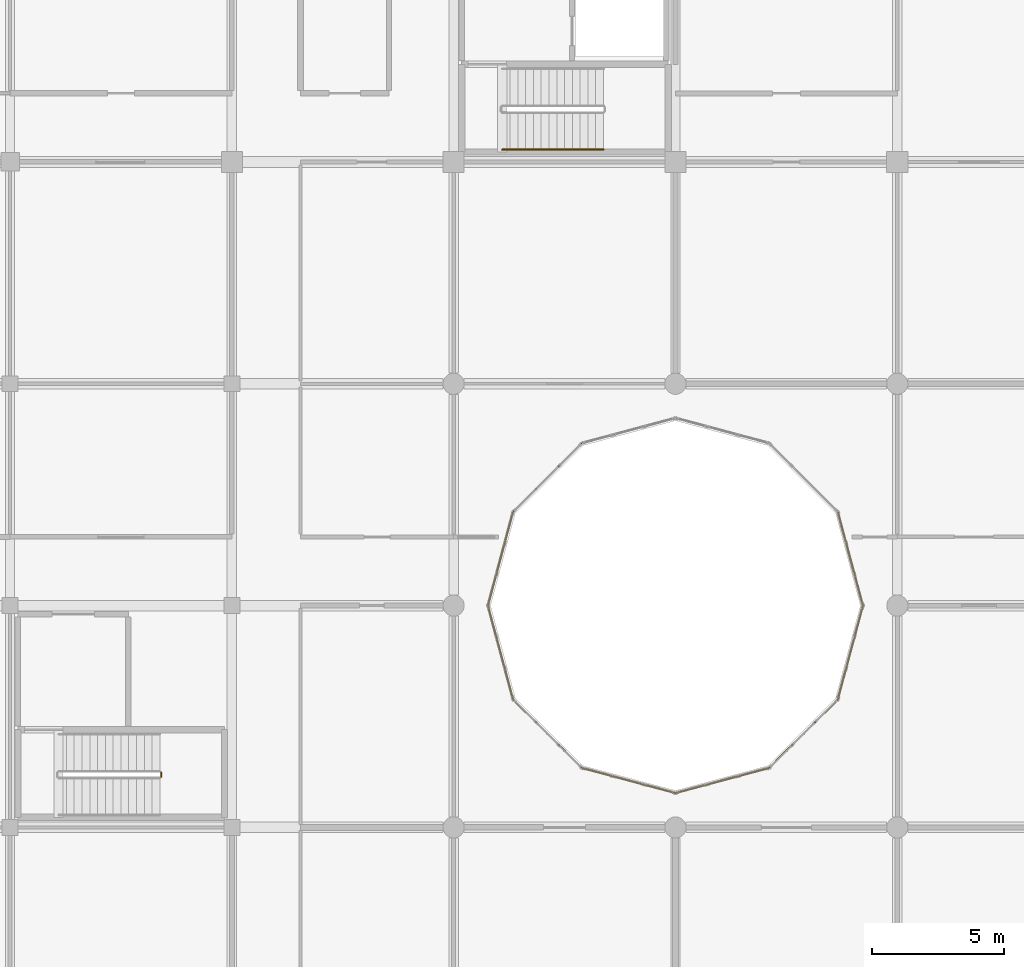
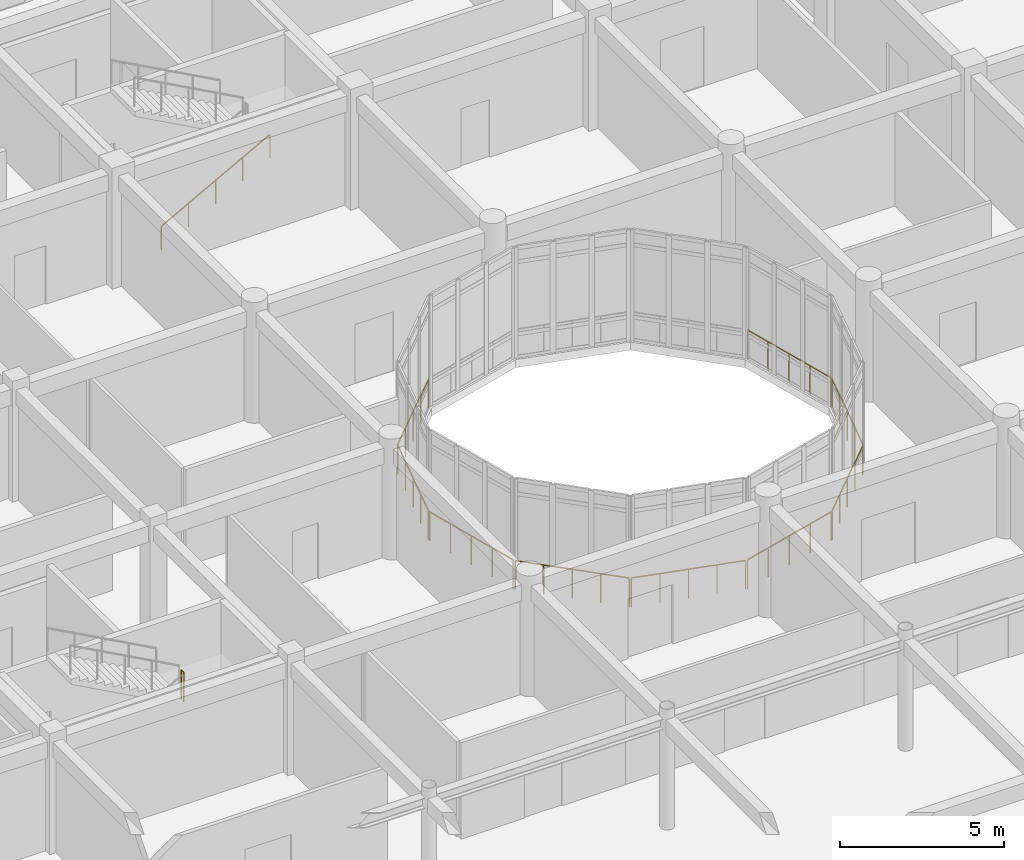
# One storey, part 135 of 144: 11 railings.
"""IFC4 building model written with IfcOpenShell, lengths in metres."""

from ifc_helpers import new_model, si_unit, direction, frame, origin, origin_2d, place, context, subcontext, project, spatial, circle, extrude, material, type_object, element, save


model = new_model("IFC4")

# Units and contexts
model_context = context("Model", 3, precision=1e-05, world=origin(), true_north=direction((0.0, 1.0)))
body_context = subcontext(model_context, "Body", "Model", "MODEL_VIEW")
ifc_project = project(units=[si_unit("LENGTHUNIT", "METRE"), si_unit("AREAUNIT", "SQUARE_METRE"), si_unit("VOLUMEUNIT", "CUBIC_METRE"), si_unit("PLANEANGLEUNIT", "RADIAN"), si_unit("MASSUNIT", "GRAM", prefix="KILO")], contexts=[model_context])

# Site, building, storey
site_placement = place(None, origin())
site = spatial("IfcSite", under=ifc_project, at=site_placement, CompositionType="ELEMENT")
building_placement = place(site_placement, origin())
building = spatial("IfcBuilding", under=site, at=building_placement, Name="Bramfleet General Hospital", CompositionType="ELEMENT")
storey_placement = place(building_placement, frame((0.0, 0.0, 4.800048828125)))
storey = spatial("IfcBuildingStorey", under=building, at=storey_placement, Name="L01", CompositionType="ELEMENT", Elevation=4.800048828125)

# Railings
ifc_material_1 = material(Name="Stainless steel 1.4401 safety balustrade", Category="steel")
railing_type_1 = type_object("IfcRailingType", Name="RAIL-EXT-GUARD", PredefinedType="GUARDRAIL", material=ifc_material_1)
railing_1_placement = place(storey_placement, frame((76.906005859375, 75.564453125, 0.0)))
element("IfcRailing", 1, at=railing_1_placement, inside=storey, type_object=railing_type_1, Name="L01 Safety Guard Rail 49", PredefinedType="GUARDRAIL", context=body_context, shape_type="SweptSolid", body=[
    extrude(circle(Radius=0.02392578125, at=origin_2d()), frame((0.0, 0.0, 1.076171875), z_axis=(0.258809459738, -0.965928394629, 0.0), x_axis=(0.965928394629, 0.258809459738, 0.0)), (0.0, 0.0, 1.0), 3.603515625),
    extrude(circle(Radius=0.02099609375, at=origin_2d()), origin(), (0.0, 0.0, 1.0), 1.052001953125),
    extrude(circle(Radius=0.02099609375, at=origin_2d()), frame((0.233154296875, -0.8701171875, 0.0)), (0.0, 0.0, 1.0), 1.052001953125),
    extrude(circle(Radius=0.02099609375, at=origin_2d()), frame((0.46630859375, -1.740234375, 0.0)), (0.0, 0.0, 1.0), 1.052001953125),
    extrude(circle(Radius=0.02099609375, at=origin_2d()), frame((0.699462890625, -2.610595703125, 0.0)), (0.0, 0.0, 1.0), 1.052001953125),
    extrude(circle(Radius=0.02099609375, at=origin_2d()), frame((0.9326171875, -3.480712890625, 0.0)), (0.0, 0.0, 1.0), 1.052001953125),
])
railing_2_placement = place(storey_placement, frame((77.874267578125, 72.022216796875, 0.0)))
element("IfcRailing", 2, at=railing_2_placement, inside=storey, type_object=railing_type_1, Name="L01 Safety Guard Rail 50", PredefinedType="GUARDRAIL", context=body_context, shape_type="SweptSolid", body=[
    extrude(circle(Radius=0.02392578125, at=origin_2d()), frame((0.0, 0.0, 1.076171875), z_axis=(0.707072903751, -0.707140656999, 0.0), x_axis=(0.707140656999, 0.707072903751, 0.0)), (0.0, 0.0, 1.0), 3.603271484375),
    extrude(circle(Radius=0.02099609375, at=origin_2d()), origin(), (0.0, 0.0, 1.0), 1.052001953125),
    extrude(circle(Radius=0.02099609375, at=origin_2d()), frame((0.636962890625, -0.636962890625, 0.0)), (0.0, 0.0, 1.0), 1.052001953125),
    extrude(circle(Radius=0.02099609375, at=origin_2d()), frame((1.27392578125, -1.27392578125, 0.0)), (0.0, 0.0, 1.0), 1.052001953125),
    extrude(circle(Radius=0.02099609375, at=origin_2d()), frame((1.910888671875, -1.9111328125, 0.0)), (0.0, 0.0, 1.0), 1.052001953125),
    extrude(circle(Radius=0.02099609375, at=origin_2d()), frame((2.5478515625, -2.548095703125, 0.0)), (0.0, 0.0, 1.0), 1.052001953125),
])
railing_3_placement = place(storey_placement, frame((80.48388671875, 69.438720703125, 0.0)))
element("IfcRailing", 3, at=railing_3_placement, inside=storey, type_object=railing_type_1, Name="L01 Safety Guard Rail 51", PredefinedType="GUARDRAIL", context=body_context, shape_type="SweptSolid", body=[
    extrude(circle(Radius=0.02392578125, at=origin_2d()), frame((0.0, 0.0, 1.076171875), z_axis=(0.965928394629, -0.258809459738, 0.0), x_axis=(0.258809459738, 0.965928394629, 0.0)), (0.0, 0.0, 1.0), 3.603515625),
    extrude(circle(Radius=0.02099609375, at=origin_2d()), origin(), (0.0, 0.0, 1.0), 1.052001953125),
    extrude(circle(Radius=0.02099609375, at=origin_2d()), frame((0.8701171875, -0.233154296875, 0.0)), (0.0, 0.0, 1.0), 1.052001953125),
    extrude(circle(Radius=0.02099609375, at=origin_2d()), frame((1.740234375, -0.46630859375, 0.0)), (0.0, 0.0, 1.0), 1.052001953125),
    extrude(circle(Radius=0.02099609375, at=origin_2d()), frame((2.610595703125, -0.699462890625, 0.0)), (0.0, 0.0, 1.0), 1.052001953125),
    extrude(circle(Radius=0.02099609375, at=origin_2d()), frame((3.480712890625, -0.9326171875, 0.0)), (0.0, 0.0, 1.0), 1.052001953125),
])
railing_4_placement = place(storey_placement, frame((84.035400390625, 68.506103515625, 0.0)))
element("IfcRailing", 4, at=railing_4_placement, inside=storey, type_object=railing_type_1, Name="L01 Safety Guard Rail 52", PredefinedType="GUARDRAIL", context=body_context, shape_type="SweptSolid", body=[
    extrude(circle(Radius=0.02392578125, at=origin_2d()), frame((0.0, 0.0, 1.076171875), z_axis=(0.965928394629, 0.258809459738, 0.0), x_axis=(-0.258809459738, 0.965928394629, 0.0)), (0.0, 0.0, 1.0), 3.603515625),
    extrude(circle(Radius=0.02099609375, at=origin_2d()), origin(), (0.0, 0.0, 1.0), 1.052001953125),
    extrude(circle(Radius=0.02099609375, at=origin_2d()), frame((0.8701171875, 0.233154296875, 0.0)), (0.0, 0.0, 1.0), 1.052001953125),
    extrude(circle(Radius=0.02099609375, at=origin_2d()), frame((1.740234375, 0.46630859375, 0.0)), (0.0, 0.0, 1.0), 1.052001953125),
    extrude(circle(Radius=0.02099609375, at=origin_2d()), frame((2.610595703125, 0.699462890625, 0.0)), (0.0, 0.0, 1.0), 1.052001953125),
    extrude(circle(Radius=0.02099609375, at=origin_2d()), frame((3.480712890625, 0.9326171875, 0.0)), (0.0, 0.0, 1.0), 1.052001953125),
])
railing_5_placement = place(storey_placement, frame((87.577880859375, 69.47412109375, 0.0)))
element("IfcRailing", 5, at=railing_5_placement, inside=storey, type_object=railing_type_1, Name="L01 Safety Guard Rail 53", PredefinedType="GUARDRAIL", context=body_context, shape_type="SweptSolid", body=[
    extrude(circle(Radius=0.02392578125, at=origin_2d()), frame((0.0, 0.0, 1.076171875), z_axis=(0.707072903751, 0.707140656999, 0.0), x_axis=(-0.707140656999, 0.707072903751, 0.0)), (0.0, 0.0, 1.0), 3.603271484375),
    extrude(circle(Radius=0.02099609375, at=origin_2d()), origin(), (0.0, 0.0, 1.0), 1.052001953125),
    extrude(circle(Radius=0.02099609375, at=origin_2d()), frame((0.636962890625, 0.636962890625, 0.0)), (0.0, 0.0, 1.0), 1.052001953125),
    extrude(circle(Radius=0.02099609375, at=origin_2d()), frame((1.27392578125, 1.27392578125, 0.0)), (0.0, 0.0, 1.0), 1.052001953125),
    extrude(circle(Radius=0.02099609375, at=origin_2d()), frame((1.910888671875, 1.9111328125, 0.0)), (0.0, 0.0, 1.0), 1.052001953125),
    extrude(circle(Radius=0.02099609375, at=origin_2d()), frame((2.5478515625, 2.548095703125, 0.0)), (0.0, 0.0, 1.0), 1.052001953125),
])
railing_6_placement = place(storey_placement, frame((90.161376953125, 72.083740234375, 0.0)))
element("IfcRailing", 6, at=railing_6_placement, inside=storey, type_object=railing_type_1, Name="L01 Safety Guard Rail 54", PredefinedType="GUARDRAIL", context=body_context, shape_type="SweptSolid", body=[
    extrude(circle(Radius=0.02392578125, at=origin_2d()), frame((0.0, 0.0, 1.076171875), z_axis=(0.258809459738, 0.965928394629, 0.0), x_axis=(-0.965928394629, 0.258809459738, 0.0)), (0.0, 0.0, 1.0), 3.603515625),
    extrude(circle(Radius=0.02099609375, at=origin_2d()), origin(), (0.0, 0.0, 1.0), 1.052001953125),
    extrude(circle(Radius=0.02099609375, at=origin_2d()), frame((0.233154296875, 0.8701171875, 0.0)), (0.0, 0.0, 1.0), 1.052001953125),
    extrude(circle(Radius=0.02099609375, at=origin_2d()), frame((0.46630859375, 1.740234375, 0.0)), (0.0, 0.0, 1.0), 1.052001953125),
    extrude(circle(Radius=0.02099609375, at=origin_2d()), frame((0.699462890625, 2.610595703125, 0.0)), (0.0, 0.0, 1.0), 1.052001953125),
    extrude(circle(Radius=0.02099609375, at=origin_2d()), frame((0.9326171875, 3.480712890625, 0.0)), (0.0, 0.0, 1.0), 1.052001953125),
])
railing_7_placement = place(storey_placement, frame((91.093994140625, 75.635498046875, 0.0)))
element("IfcRailing", 7, at=railing_7_placement, inside=storey, type_object=railing_type_1, Name="L01 Safety Guard Rail 55", PredefinedType="GUARDRAIL", context=body_context, shape_type="SweptSolid", body=[
    extrude(circle(Radius=0.02392578125, at=origin_2d()), frame((0.0, 0.0, 1.076171875), z_axis=(-0.258809459738, 0.965928394629, 0.0), x_axis=(-0.965928394629, -0.258809459738, 0.0)), (0.0, 0.0, 1.0), 3.603515625),
    extrude(circle(Radius=0.02099609375, at=origin_2d()), origin(), (0.0, 0.0, 1.0), 1.052001953125),
    extrude(circle(Radius=0.02099609375, at=origin_2d()), frame((-0.233154296875, 0.8701171875, 0.0)), (0.0, 0.0, 1.0), 1.052001953125),
    extrude(circle(Radius=0.02099609375, at=origin_2d()), frame((-0.46630859375, 1.740234375, 0.0)), (0.0, 0.0, 1.0), 1.052001953125),
    extrude(circle(Radius=0.02099609375, at=origin_2d()), frame((-0.699462890625, 2.610595703125, 0.0)), (0.0, 0.0, 1.0), 1.052001953125),
    extrude(circle(Radius=0.02099609375, at=origin_2d()), frame((-0.9326171875, 3.480712890625, 0.0)), (0.0, 0.0, 1.0), 1.052001953125),
])
railing_8_placement = place(storey_placement, frame((80.422119140625, 81.725830078125, 0.0)))
element("IfcRailing", 8, at=railing_8_placement, inside=storey, type_object=railing_type_1, Name="L01 Safety Guard Rail 59", PredefinedType="GUARDRAIL", context=body_context, shape_type="SweptSolid", body=[
    extrude(circle(Radius=0.02392578125, at=origin_2d()), frame((0.0, 0.0, 1.076171875), z_axis=(-0.707072903751, -0.707140656999, 0.0), x_axis=(0.707140656999, -0.707072903751, 0.0)), (0.0, 0.0, 1.0), 3.603271484375),
    extrude(circle(Radius=0.02099609375, at=origin_2d()), origin(), (0.0, 0.0, 1.0), 1.052001953125),
    extrude(circle(Radius=0.02099609375, at=origin_2d()), frame((-0.636962890625, -0.636962890625, 0.0)), (0.0, 0.0, 1.0), 1.052001953125),
    extrude(circle(Radius=0.02099609375, at=origin_2d()), frame((-1.27392578125, -1.27392578125, 0.0)), (0.0, 0.0, 1.0), 1.052001953125),
    extrude(circle(Radius=0.02099609375, at=origin_2d()), frame((-1.910888671875, -1.9111328125, 0.0)), (0.0, 0.0, 1.0), 1.052001953125),
    extrude(circle(Radius=0.02099609375, at=origin_2d()), frame((-2.5478515625, -2.548095703125, 0.0)), (0.0, 0.0, 1.0), 1.052001953125),
])
railing_9_placement = place(storey_placement, frame((77.838623046875, 79.1162109375, 0.0)))
element("IfcRailing", 9, at=railing_9_placement, inside=storey, type_object=railing_type_1, Name="L01 Safety Guard Rail 60", PredefinedType="GUARDRAIL", context=body_context, shape_type="SweptSolid", body=[
    extrude(circle(Radius=0.02392578125, at=origin_2d()), frame((0.0, 0.0, 1.076171875), z_axis=(-0.258809459738, -0.965928394629, 0.0), x_axis=(0.965928394629, -0.258809459738, 0.0)), (0.0, 0.0, 1.0), 3.603515625),
    extrude(circle(Radius=0.02099609375, at=origin_2d()), origin(), (0.0, 0.0, 1.0), 1.052001953125),
    extrude(circle(Radius=0.02099609375, at=origin_2d()), frame((-0.233154296875, -0.8701171875, 0.0)), (0.0, 0.0, 1.0), 1.052001953125),
    extrude(circle(Radius=0.02099609375, at=origin_2d()), frame((-0.46630859375, -1.740234375, 0.0)), (0.0, 0.0, 1.0), 1.052001953125),
    extrude(circle(Radius=0.02099609375, at=origin_2d()), frame((-0.699462890625, -2.610595703125, 0.0)), (0.0, 0.0, 1.0), 1.052001953125),
    extrude(circle(Radius=0.02099609375, at=origin_2d()), frame((-0.9326171875, -3.480712890625, 0.0)), (0.0, 0.0, 1.0), 1.052001953125),
])
ifc_material_2 = material(Name="Powder-coated steel stair balustrade", Category="steel")
railing_type_2 = type_object("IfcRailingType", Name="RAIL-ST-GUARD", PredefinedType="GUARDRAIL", material=ifc_material_2)
railing_10_placement = place(storey_placement, frame((64.52490234375, 69.1201171875, 2.25)))
element("IfcRailing", 10, at=railing_10_placement, inside=storey, type_object=railing_type_2, Name="L01 ST-C13 stair guard 2", PredefinedType="GUARDRAIL", context=body_context, shape_type="SweptSolid", body=[
    extrude(circle(Radius=0.02392578125, at=origin_2d()), frame((0.0, 0.0, 1.076171875), z_axis=(0.0, 1.0, 0.0), x_axis=(-1.0, 0.0, 0.0)), (0.0, 0.0, 1.0), 0.159912109375),
    extrude(circle(Radius=0.02099609375, at=origin_2d()), origin(), (0.0, 0.0, 1.0), 1.052001953125),
    extrude(circle(Radius=0.02099609375, at=origin_2d()), frame((0.0, 0.159912109375, 0.0)), (0.0, 0.0, 1.0), 1.052001953125),
])
ifc_material_3 = material(Name="Stainless steel 1.4301 stair handrail", Category="steel")
railing_type_3 = type_object("IfcRailingType", Name="RAIL-ST-HND", PredefinedType="HANDRAIL", material=ifc_material_3)
railing_11_placement = place(storey_placement, frame((77.43994140625, 92.8701171875, 0.16064453125)))
element("IfcRailing", 11, at=railing_11_placement, inside=storey, type_object=railing_type_3, Name="L01 ST-C5 stair handrail 1", PredefinedType="HANDRAIL", context=body_context, shape_type="SweptSolid", body=[
    extrude(circle(Radius=0.02392578125, at=origin_2d()), frame((0.0, 0.0, 0.8759765625), z_axis=(0.878130475078, 0.0, 0.478421225218), x_axis=(0.0, 1.0, 0.0)), (0.0, 0.0, 1.0), 4.3671875),
    extrude(circle(Radius=0.02099609375, at=origin_2d()), origin(), (0.0, 0.0, 1.0), 0.851806640625),
    extrude(circle(Radius=0.02099609375, at=origin_2d()), frame((0.958740234375, 0.0, 0.5224609375)), (0.0, 0.0, 1.0), 0.851806640625),
    extrude(circle(Radius=0.02099609375, at=origin_2d()), frame((1.91748046875, 0.0, 1.044677734375)), (0.0, 0.0, 1.0), 0.851806640625),
    extrude(circle(Radius=0.02099609375, at=origin_2d()), frame((2.876220703125, 0.0, 1.56689453125)), (0.0, 0.0, 1.0), 0.851806640625),
    extrude(circle(Radius=0.02099609375, at=origin_2d()), frame((3.8349609375, 0.0, 2.08935546875)), (0.0, 0.0, 1.0), 0.851806640625),
])

save(model, "model.ifc")
